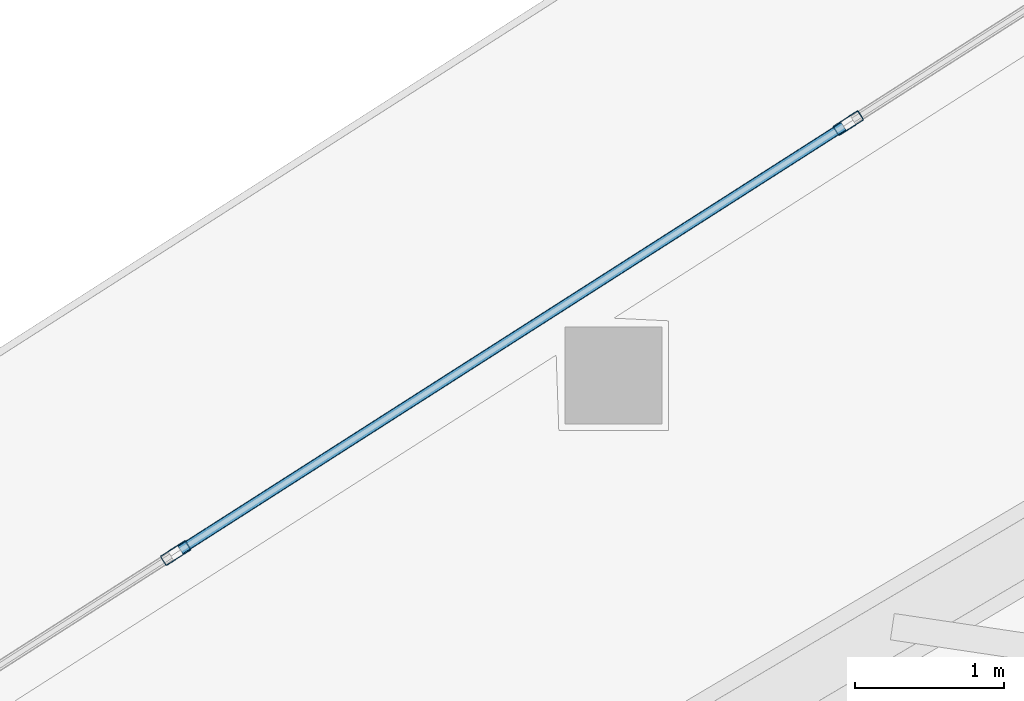
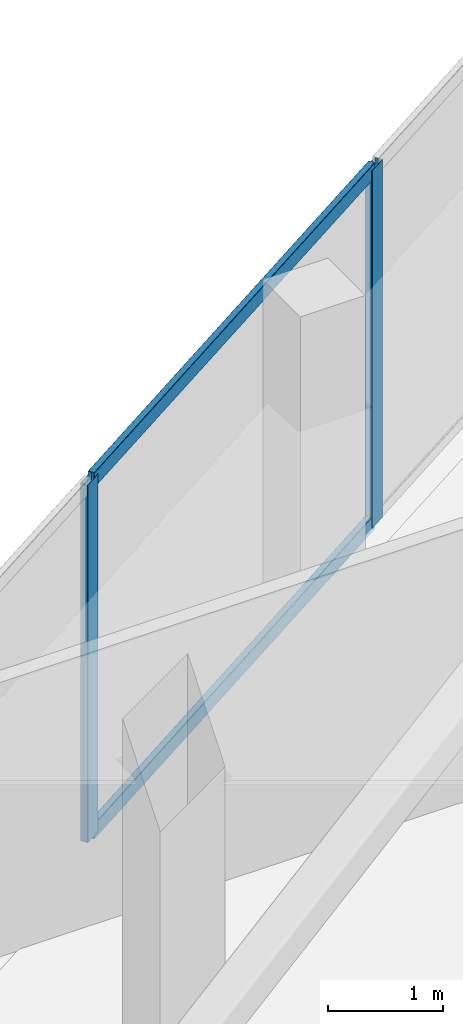
# One storey, part 18 of 43: 4 members, 1 element without a shape of its own.
"""IFC4 building model written with IfcOpenShell, lengths in metres."""

from ifc_helpers import new_model, si_unit, direction, frame, origin, origin_2d, place, context, subcontext, project, spatial, hollow_rectangle, extrude, material, layer, layer_set, material_profile, profile_set, type_object, element, aggregate, save


model = new_model("IFC4")

# Units and contexts
model_context = context("Model", 3, precision=1e-05, world=origin(), true_north=direction((0.0, 1.0)))
body_context = subcontext(model_context, "Body", "Model", "MODEL_VIEW")
ifc_project = project(units=[si_unit("LENGTHUNIT", "METRE"), si_unit("AREAUNIT", "SQUARE_METRE"), si_unit("VOLUMEUNIT", "CUBIC_METRE"), si_unit("PLANEANGLEUNIT", "RADIAN"), si_unit("MASSUNIT", "GRAM", prefix="KILO")], contexts=[model_context])

# Site, building, storey
site_placement = place(None, origin())
site = spatial("IfcSite", under=ifc_project, at=site_placement, CompositionType="ELEMENT")
building_placement = place(site_placement, origin())
building = spatial("IfcBuilding", under=site, at=building_placement, Name="Qorvath Tower", CompositionType="ELEMENT")
storey_placement = place(building_placement, frame((0.0, 0.0, 150.300048828125)))
storey = spatial("IfcBuildingStorey", under=building, at=storey_placement, Name="L34", CompositionType="ELEMENT", Elevation=150.300048828125)

# Curtain wall, members
ifc_material_1 = material(Name="Anodised aluminium and triple low-E glass", Category="aluminium")
ifc_layer = layer(ifc_material_1, 0.179931640625)
ifc_layer_set = layer_set([ifc_layer], Name="CW-SYS-5")
curtain_wall_type = type_object("IfcCurtainWallType", Name="CW-SYS-5", PredefinedType="NOTDEFINED", material=ifc_layer_set)
curtain_wall_placement = place(storey_placement, origin())
curtain_wall = element("IfcCurtainWall", 1, at=curtain_wall_placement, inside=storey, type_object=curtain_wall_type, Name="Curtain Wall CW-5 CW-T-L34-16.1", PredefinedType="NOTDEFINED")
ifc_material_2 = material(Name="Anodised aluminium 6063-T6", Category="aluminium")
ifc_material_profile_1 = material_profile(ifc_material_2, hollow_rectangle(XDim=0.074951171875, YDim=0.199951171875, WallThickness=0.00390625, InnerFilletRadius=0.00390625, OuterFilletRadius=0.008056640625, at=origin_2d()), Name="CWM 200x75")
ifc_profile_set_1 = profile_set([ifc_material_profile_1], Name="Anodised aluminium 6063-T6")
member_type_1 = type_object("IfcMemberType", Name="CWM-200", PredefinedType="MULLION", material=ifc_profile_set_1)
member_1_placement = place(storey_placement, frame((-43.1640625, 12.343994140625, 0.0), z_axis=(0.0, 0.0, 1.0), x_axis=(0.538535404822, -0.842602882592, 0.0)))
member_1 = element("IfcMember", 2, at=member_1_placement, type_object=member_type_1, Name="CW-5 mullion 7", PredefinedType="MULLION", context=body_context, shape_type="SweptSolid", body=[
    extrude(hollow_rectangle(XDim=0.074951171875, YDim=0.199951171875, WallThickness=0.00390625, InnerFilletRadius=0.00390625, OuterFilletRadius=0.008056640625, at=origin_2d()), origin(), (0.0, 0.0, 1.0), 3.780029296875),
])
member_2_placement = place(storey_placement, frame((-47.670654296875, 9.463623046875, 0.0), z_axis=(0.0, 0.0, 1.0), x_axis=(0.538535404822, -0.842602882592, 0.0)))
member_2 = element("IfcMember", 3, at=member_2_placement, type_object=member_type_1, Name="CW-5 mullion 8", PredefinedType="MULLION", context=body_context, shape_type="SweptSolid", body=[
    extrude(hollow_rectangle(XDim=0.074951171875, YDim=0.199951171875, WallThickness=0.00390625, InnerFilletRadius=0.00390625, OuterFilletRadius=0.008056640625, at=origin_2d()), origin(), (0.0, 0.0, 1.0), 3.780029296875),
])
ifc_material_3 = material(Name="Anodised aluminium 6063-T6", Category="aluminium")
ifc_material_profile_2 = material_profile(ifc_material_3, hollow_rectangle(XDim=0.06494140625, YDim=0.159912109375, WallThickness=0.00341796875, InnerFilletRadius=0.00341796875, OuterFilletRadius=0.007080078125, at=origin_2d()), Name="CWT 160x65")
ifc_profile_set_2 = profile_set([ifc_material_profile_2], Name="Anodised aluminium 6063-T6")
member_type_2 = type_object("IfcMemberType", Name="CWT-160", PredefinedType="USERDEFINED", material=ifc_profile_set_2)
member_3_placement = place(storey_placement, frame((-43.19580078125, 12.32373046875, 0.032470703125), z_axis=(-0.842607560857, -0.538528085049, 0.0), x_axis=(0.538528085049, -0.842607560857, 0.0)))
member_3 = element("IfcMember", 4, at=member_3_placement, type_object=member_type_2, Name="CW-5 transom 7.1", ObjectType="TRANSOM", PredefinedType="USERDEFINED", context=body_context, shape_type="SweptSolid", body=[
    extrude(hollow_rectangle(XDim=0.06494140625, YDim=0.159912109375, WallThickness=0.00341796875, InnerFilletRadius=0.00341796875, OuterFilletRadius=0.007080078125, at=origin_2d()), origin(), (0.0, 0.0, 1.0), 5.2734375),
])
member_4_placement = place(storey_placement, frame((-43.19580078125, 12.32373046875, 3.74755859375), z_axis=(-0.842607560857, -0.538528085049, 0.0), x_axis=(0.538528085049, -0.842607560857, 0.0)))
member_4 = element("IfcMember", 5, at=member_4_placement, type_object=member_type_2, Name="CW-5 transom 7.2", ObjectType="TRANSOM", PredefinedType="USERDEFINED", context=body_context, shape_type="SweptSolid", body=[
    extrude(hollow_rectangle(XDim=0.06494140625, YDim=0.159912109375, WallThickness=0.00341796875, InnerFilletRadius=0.00341796875, OuterFilletRadius=0.007080078125, at=origin_2d()), origin(), (0.0, 0.0, 1.0), 5.2734375),
])
aggregate(curtain_wall, [member_1, member_2, member_3, member_4])

save(model, "model.ifc")
